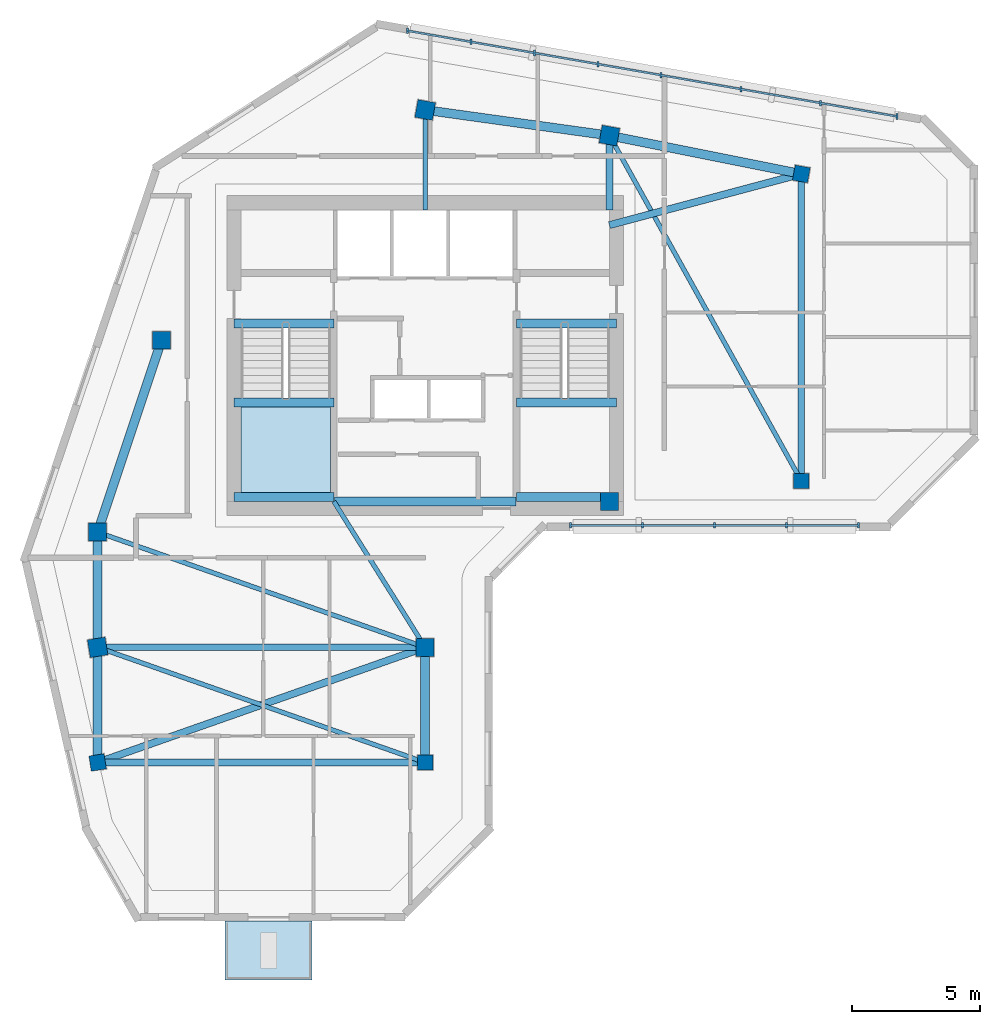
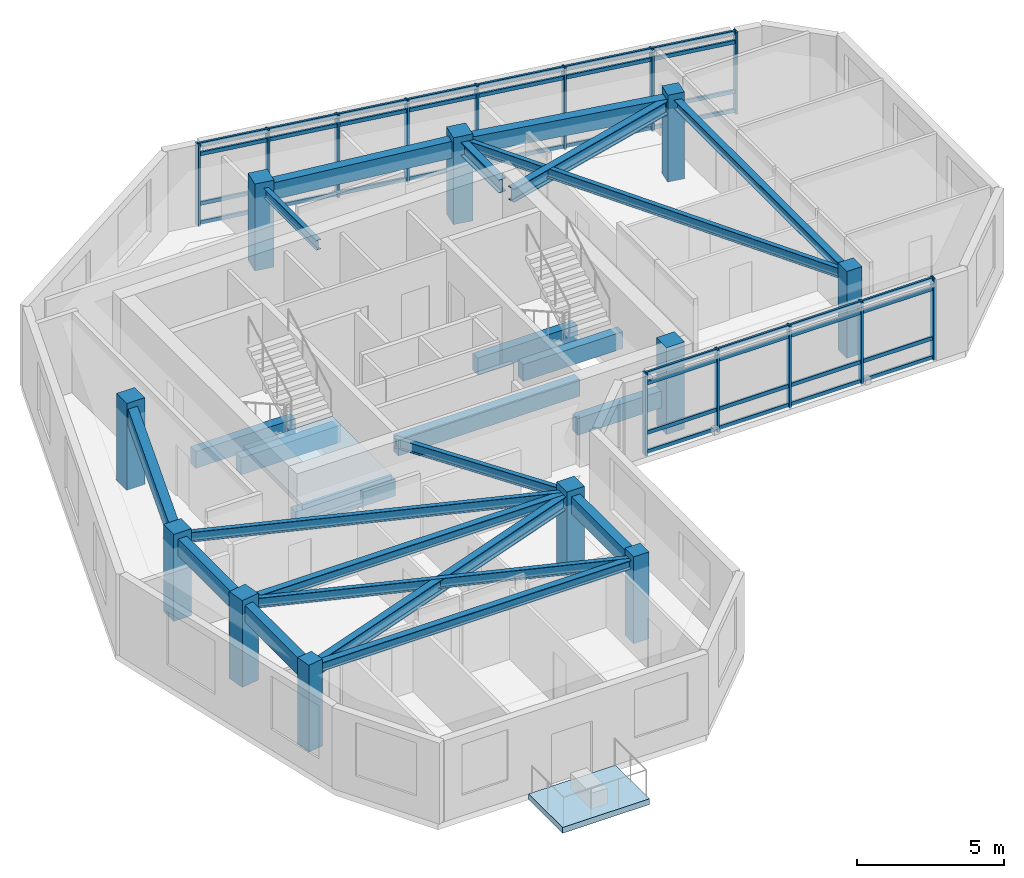
# One storey, part 1 of 8: 24 beams, 21 members, 11 columns, 2 slabs, 3 elements without a shape of their own.
"""IFC4 building model written with IfcOpenShell, lengths in metres."""

import ifcopenshell
import ifcopenshell.guid

model = None  # the IFC model being written
_history = None  # IfcOwnerHistory: only IFC2X3 demands one
_inside = {}  # id of a spatial element -> (the spatial element, [elements in it])
_under = {}  # id of a project, library or spatial element -> (it, [spatial elements below it])
_declared = {}  # id of a project -> (the project, [libraries it declares])
_typed = {}  # id of a type object -> (the type object, [elements of that type])
_made_of = {}  # id of a material, layer set ... -> (it, [elements and type objects made of it])


def new_model(schema):
    """Start an empty IFC model of exactly this schema.

    Asked for "IFC4X3", IfcOpenShell would pick the latest addendum, in which some entities
    have other attributes; the version numbers below select the first issue.
    IFC2X3 requires an IfcOwnerHistory on every rooted entity: one is made here for all.
    """
    global model, _history
    if schema == "IFC4X3":
        model = ifcopenshell.file(schema_version=(4, 3, 0, 0))
    else:
        model = ifcopenshell.file(schema=schema)
    _inside.clear()
    _under.clear()
    _declared.clear()
    _typed.clear()
    _made_of.clear()
    _history = None
    if model.schema == "IFC2X3":
        org = make("IfcOrganization", Name="unknown")
        user = make(
            "IfcPersonAndOrganization",
            ThePerson=make("IfcPerson", FamilyName="unknown"),
            TheOrganization=org,
        )
        app = make(
            "IfcApplication",
            ApplicationDeveloper=org,
            Version="unknown",
            ApplicationFullName="unknown",
            ApplicationIdentifier="unknown",
        )
        _history = make(
            "IfcOwnerHistory",
            OwningUser=user,
            OwningApplication=app,
            ChangeAction="ADDED",
            CreationDate=0,
        )
    return model


def make(cls, **values):
    """One entity of the class cls with the attributes given. An attribute that is None is left unset."""
    return model.create_entity(
        cls, **{name: value for name, value in values.items() if value is not None}
    )


def rooted(cls, **values):
    """An entity with a GlobalId (a new one), such as an element, a storey or a relation."""
    return make(cls, GlobalId=ifcopenshell.guid.new(), OwnerHistory=_history, **values)


def si_unit(unit_type, name, prefix=None):
    """IfcSIUnit, for example si_unit("LENGTHUNIT", "METRE", prefix="MILLI")."""
    return make("IfcSIUnit", UnitType=unit_type, Prefix=prefix, Name=name)


def assignment(units):
    """IfcUnitAssignment: the units of a project."""
    return None if units is None else make("IfcUnitAssignment", Units=units)


def point(xyz):
    """IfcCartesianPoint."""
    return None if xyz is None else make("IfcCartesianPoint", Coordinates=xyz)


def direction(xyz):
    """IfcDirection."""
    return None if xyz is None else make("IfcDirection", DirectionRatios=xyz)


def frame(location, z_axis=None, x_axis=None):
    """IfcAxis2Placement3D, a coordinate frame: its origin and axes. An axis left out is left unset."""
    return make(
        "IfcAxis2Placement3D",
        Location=point(location),
        Axis=direction(z_axis),
        RefDirection=direction(x_axis),
    )


def frame_2d(location, x_axis=None):
    """IfcAxis2Placement2D, a coordinate frame in the plane: its origin and x axis."""
    return make(
        "IfcAxis2Placement2D", Location=point(location), RefDirection=direction(x_axis)
    )


def origin():
    """The frame at (0, 0, 0) with its axes left unset."""
    return frame((0.0, 0.0, 0.0))


def origin_2d():
    """The frame at (0, 0) in the plane with its x axis left unset."""
    return frame_2d((0.0, 0.0))


def place(relative_to, where):
    """IfcLocalPlacement: puts the frame where relative to a parent placement (None: the world)."""
    return make(
        "IfcLocalPlacement", PlacementRelTo=relative_to, RelativePlacement=where
    )


def context(
    kind, dimensions, precision=None, world=None, true_north=None, identifier=None
):
    """IfcGeometricRepresentationContext, for example the 3D "Model" context."""
    return make(
        "IfcGeometricRepresentationContext",
        ContextIdentifier=identifier,
        ContextType=kind,
        CoordinateSpaceDimension=dimensions,
        Precision=precision,
        WorldCoordinateSystem=world,
        TrueNorth=true_north,
    )


def subcontext(parent, identifier, kind, view, scale=None):
    """IfcGeometricRepresentationSubContext, for example "Body" below "Model"."""
    return make(
        "IfcGeometricRepresentationSubContext",
        ContextIdentifier=identifier,
        ContextType=kind,
        ParentContext=parent,
        TargetScale=scale,
        TargetView=view,
    )


def project(units=None, contexts=None):
    """IfcProject with its units and contexts."""
    return rooted(
        "IfcProject",
        Name="project",
        RepresentationContexts=contexts,
        UnitsInContext=assignment(units),
    )


def spatial(cls, under=None, at=None, **own):
    """A site, building, storey or space (cls), placed at a placement, below another one or the project."""
    s = rooted(cls, ObjectPlacement=at, **own)
    if under is not None:
        _under.setdefault(under.id(), (under, []))[1].append(s)
    return s


def polyline(points):
    """IfcPolyline through the points."""
    return make("IfcPolyline", Points=[point(p) for p in points])


def profile(cls, at=None, kind="AREA", **sizes):
    """A parametric profile (cls). Its sizes go by their IFC names, for example OverallWidth=200.0."""
    return make(cls, ProfileType=kind, Position=at, **sizes)


def rectangle(**sizes):
    """IfcRectangleProfileDef."""
    return profile("IfcRectangleProfileDef", **sizes)


def i_section(**sizes):
    """IfcIShapeProfileDef."""
    return profile("IfcIShapeProfileDef", **sizes)


def outline(outer, holes=None, kind="AREA"):
    """IfcArbitraryClosedProfileDef: a profile drawn as a closed curve; with holes, ...WithVoids."""
    if holes is None:
        return make("IfcArbitraryClosedProfileDef", ProfileType=kind, OuterCurve=outer)
    return make(
        "IfcArbitraryProfileDefWithVoids",
        ProfileType=kind,
        OuterCurve=outer,
        InnerCurves=holes,
    )


def extrude(swept, where, along, depth):
    """IfcExtrudedAreaSolid: the profile swept, set in the frame where, extruded along a direction by depth."""
    return make(
        "IfcExtrudedAreaSolid",
        SweptArea=swept,
        Position=where,
        ExtrudedDirection=direction(along),
        Depth=depth,
    )


def shape(context_of_items, identifier, shape_type, items):
    """IfcShapeRepresentation: the items that make up one representation, for example the "Body"."""
    return make(
        "IfcShapeRepresentation",
        ContextOfItems=context_of_items,
        RepresentationIdentifier=identifier,
        RepresentationType=shape_type,
        Items=items,
    )


def source(mapping_origin, context_of_items, identifier, shape_type, items):
    """IfcRepresentationMap: a shape defined once, which mapped items show again and again."""
    return make(
        "IfcRepresentationMap",
        MappingOrigin=mapping_origin,
        MappedRepresentation=shape(context_of_items, identifier, shape_type, items),
    )


def transform(
    local_origin,
    x_axis=None,
    y_axis=None,
    z_axis=None,
    scale=None,
    scale2=None,
    scale3=None,
    uniform=True,
):
    """IfcCartesianTransformationOperator3D, or its non-uniform kind. x_axis, y_axis, z_axis: its Axis1, 2, 3."""
    if uniform:
        return make(
            "IfcCartesianTransformationOperator3D",
            Axis1=direction(x_axis),
            Axis2=direction(y_axis),
            LocalOrigin=point(local_origin),
            Scale=scale,
            Axis3=direction(z_axis),
        )
    return make(
        "IfcCartesianTransformationOperator3DnonUniform",
        Axis1=direction(x_axis),
        Axis2=direction(y_axis),
        LocalOrigin=point(local_origin),
        Scale=scale,
        Axis3=direction(z_axis),
        Scale2=scale2,
        Scale3=scale3,
    )


def mapped(mapping_source, mapping_target):
    """IfcMappedItem: shows the shape of a source again, moved by a transform."""
    return make(
        "IfcMappedItem", MappingSource=mapping_source, MappingTarget=mapping_target
    )


def material(Name=None, Category=None):
    """IfcMaterial."""
    return make("IfcMaterial", Name=Name, Category=Category)


def layer(
    of_material, thickness, ventilated=None, Name=None, Category=None, Priority=None
):
    """IfcMaterialLayer: one layer of a wall or slab, of a material (None: an air gap)."""
    return make(
        "IfcMaterialLayer",
        Material=of_material,
        LayerThickness=thickness,
        IsVentilated=ventilated,
        Name=Name,
        Category=Category,
        Priority=Priority,
    )


def layer_set(layers, Name=None):
    """IfcMaterialLayerSet."""
    return make("IfcMaterialLayerSet", MaterialLayers=layers, LayerSetName=Name)


def material_profile(
    of_material, cross_section, Name=None, Category=None, Priority=None
):
    """IfcMaterialProfile: a cross section and its material."""
    return make(
        "IfcMaterialProfile",
        Name=Name,
        Material=of_material,
        Profile=cross_section,
        Priority=Priority,
        Category=Category,
    )


def profile_set(profiles, Name=None, composite=None):
    """IfcMaterialProfileSet."""
    return make(
        "IfcMaterialProfileSet",
        Name=Name,
        MaterialProfiles=profiles,
        CompositeProfile=composite,
    )


def made_of(thing, what):
    """Note that an element or type object is made of a material, layer set ...; save() writes the relation."""
    if what is not None:
        _made_of.setdefault(what.id(), (what, []))[1].append(thing)
    return thing


def type_object(cls, material=None, **own):
    """A type object (cls), such as IfcWallType, which elements share."""
    return made_of(rooted(cls, **own), material)


def element(
    cls,
    number,
    at=None,
    inside=None,
    cuts=None,
    type_object=None,
    material=None,
    context=None,
    identifier="Body",
    shape_type=None,
    held_by="IfcProductDefinitionShape",
    body=None,
    shapes=None,
    **own,
):
    """One element of the class cls, such as IfcWall. Its Tag is "e" and its number.

    at: its placement. inside: the storey or other place that contains it. cuts: it is an
    opening in that element (IfcRelVoidsElement). A single representation is given by context,
    identifier, shape_type and body (its items); several are given by shapes. held_by: the class
    of the entity that holds the representations. save() writes the other relations.
    """
    e = rooted(cls, Tag="e%d" % number, ObjectPlacement=at, **own)
    if body is not None:
        shapes = [shape(context, identifier, shape_type, body)]
    if shapes is not None:
        e.Representation = make(held_by, Representations=shapes)
    if inside is not None:
        _inside.setdefault(inside.id(), (inside, []))[1].append(e)
    if cuts is not None:
        rooted(
            "IfcRelVoidsElement", RelatingBuildingElement=cuts, RelatedOpeningElement=e
        )
    if type_object is not None:
        _typed.setdefault(type_object.id(), (type_object, []))[1].append(e)
    return made_of(e, material)


def aggregate(whole, parts):
    """IfcRelAggregates: a whole, such as a stair, and the parts it consists of."""
    return rooted("IfcRelAggregates", RelatingObject=whole, RelatedObjects=parts)


def save(model, path):
    """Write the relations noted so far, then the file.

    IfcRelAggregates (storeys below a building ...), IfcRelContainedInSpatialStructure (elements
    in a storey), IfcRelDefinesByType, IfcRelAssociatesMaterial and IfcRelDeclares: one each for
    every whole, place, type object, material and project.
    """
    for whole, parts in _under.values():
        aggregate(whole, parts)
    for where, things in _inside.values():
        rooted(
            "IfcRelContainedInSpatialStructure",
            RelatedElements=things,
            RelatingStructure=where,
        )
    for kind, things in _typed.values():
        rooted("IfcRelDefinesByType", RelatedObjects=things, RelatingType=kind)
    for what, things in _made_of.values():
        rooted("IfcRelAssociatesMaterial", RelatedObjects=things, RelatingMaterial=what)
    for by, libraries in _declared.values():
        rooted("IfcRelDeclares", RelatingContext=by, RelatedDefinitions=libraries)
    model.write(path)


model = new_model("IFC4")

# Units and contexts
model_context = context("Model", 3, precision=1e-05, world=origin(), true_north=direction((0.0, 1.0)))
body_context = subcontext(model_context, "Body", "Model", "MODEL_VIEW")
ifc_project = project(units=[si_unit("LENGTHUNIT", "METRE"), si_unit("AREAUNIT", "SQUARE_METRE"), si_unit("VOLUMEUNIT", "CUBIC_METRE"), si_unit("PLANEANGLEUNIT", "RADIAN"), si_unit("MASSUNIT", "GRAM", prefix="KILO")], contexts=[model_context])

# Site, building, storey
site_placement = place(None, origin())
site = spatial("IfcSite", under=ifc_project, at=site_placement, CompositionType="ELEMENT")
building_placement = place(site_placement, origin())
building = spatial("IfcBuilding", under=site, at=building_placement, Name="Calvemar Wedge Station Tower", CompositionType="ELEMENT")
storey_placement = place(building_placement, frame((0.0, 0.0, 249.300048828125)))
storey = spatial("IfcBuildingStorey", under=building, at=storey_placement, Name="L63", CompositionType="ELEMENT", Elevation=249.300048828125)

# Columns
ifc_material_1 = material(Name="Concrete C50", Category="concrete")
ifc_material_profile_1 = material_profile(ifc_material_1, rectangle(XDim=0.699951171875, YDim=0.699951171875, at=origin_2d()), Name="RC700x700")
ifc_profile_set_1 = profile_set([ifc_material_profile_1], Name="Concrete C50")
column_type_1 = type_object("IfcColumnType", Name="COL-C7-700", PredefinedType="COLUMN", material=ifc_profile_set_1)
shared_shape_1 = source(origin(), body_context, "Body", "SweptSolid", [
    extrude(rectangle(XDim=0.699951171875, YDim=0.699951171875, at=origin_2d()), origin(), (0.0, 0.0, 1.0), 3.599853515625),
])
for number, where, z_axis, x_axis, name in (
    (1, (11.0, 33.0, 0.0), (0.0, 0.0, 1.0), (1.0, 0.0, 0.0), "Storey L63 Column T-NW1"),
    (2, (13.5, 40.5, 0.0), (0.0, 0.0, 1.0), (1.0, 0.0, 0.0), "Storey L63 Column T-NW2"),
    (3, (23.800048828125, 49.5, 0.0), (0.0, 0.0, 1.0), (0.984195607969, -0.17708474032, 0.0), "Storey L63 Column T-N1"),
    (4, (31.0, 48.5, 0.0), (0.0, 0.0, 1.0), (0.984195607969, -0.17708474032, 0.0), "Storey L63 Column T-N2"),
    (5, (31.0, 34.199951171875, 0.0), (0.0, 0.0, 1.0), (1.0, 0.0, 0.0), "Storey L63 Column T-NL1"),
    (6, (11.0, 28.5, 0.0), (0.0, 0.0, 1.0), (0.158158067254, -0.987413806751, 0.0), "Storey L63 Column T-SW1"),
    (7, (23.800048828125, 28.5, 0.0), (0.0, 0.0, 1.0), (1.0, 0.0, 0.0), "Storey L63 Column T-SE1"),
):
    element("IfcColumn", number, at=place(storey_placement, frame(where, z_axis=z_axis, x_axis=x_axis)), inside=storey, type_object=column_type_1, Name=name, PredefinedType="COLUMN", context=body_context, shape_type="MappedRepresentation", body=[
        mapped(shared_shape_1, transform((0.0, 0.0, 0.0), scale=1.0)),
    ])
ifc_material_profile_2 = material_profile(ifc_material_1, rectangle(XDim=0.60009765625, YDim=0.60009765625, at=origin_2d()), Name="RC600x600")
ifc_profile_set_2 = profile_set([ifc_material_profile_2], Name="Concrete C50")
column_type_2 = type_object("IfcColumnType", Name="COL-C8-600", PredefinedType="COLUMN", material=ifc_profile_set_2)
shared_shape_2 = source(origin(), body_context, "Body", "SweptSolid", [
    extrude(rectangle(XDim=0.60009765625, YDim=0.60009765625, at=origin_2d()), origin(), (0.0, 0.0, 1.0), 3.599853515625),
])
for number, where, z_axis, x_axis, name in (
    (8, (38.5, 47.0, 0.0), (0.0, 0.0, 1.0), (0.984195607969, -0.17708474032, 0.0), "Storey L63 Column T-NU3"),
    (9, (38.5, 35.0, 0.0), (0.0, 0.0, 1.0), (1.0, 0.0, 0.0), "Storey L63 Column T-NL2"),
    (10, (11.0, 24.0, 0.0), (0.0, 0.0, 1.0), (0.158158067254, -0.987413806751, 0.0), "Storey L63 Column T-SW2"),
    (11, (23.800048828125, 24.0, 0.0), (0.0, 0.0, 1.0), (1.0, 0.0, 0.0), "Storey L63 Column T-SE2"),
):
    element("IfcColumn", number, at=place(storey_placement, frame(where, z_axis=z_axis, x_axis=x_axis)), inside=storey, type_object=column_type_2, Name=name, PredefinedType="COLUMN", context=body_context, shape_type="MappedRepresentation", body=[
        mapped(shared_shape_2, transform((0.0, 0.0, 0.0), scale=1.0)),
    ])

# Beams
ifc_material_2 = material(Name="Structural steel ASTM A572 Grade 50", Category="steel")
ifc_material_profile_3 = material_profile(ifc_material_2, i_section(OverallWidth=0.177978515625, OverallDepth=0.406982421875, WebThickness=0.0078125, FlangeThickness=0.0126953125, FilletRadius=0.010009765625, at=origin_2d()), Name="W410x60")
ifc_profile_set_3 = profile_set([ifc_material_profile_3], Name="Structural steel ASTM A572 Grade 50")
beam_type_1 = type_object("IfcBeamType", Name="BM-J3-W410", PredefinedType="JOIST", material=ifc_profile_set_3)
shared_shape_3 = source(origin(), body_context, "Body", "SweptSolid", [
    extrude(i_section(OverallWidth=0.177978515625, OverallDepth=0.406982421875, WebThickness=0.0078125, FlangeThickness=0.0126953125, FilletRadius=0.010009765625, at=origin_2d()), origin(), (0.0, 0.0, 1.0), 15.443359375),
])
beam_1_placement = place(storey_placement, frame((31.0, 48.5, 3.146484375), z_axis=(0.485642931179, -0.874157276122, 0.0), x_axis=(0.874157276122, 0.485642931179, 0.0)))
element("IfcBeam", 12, at=beam_1_placement, inside=storey, type_object=beam_type_1, Name="Storey L63 Floor Beam T-N2-T-NL2", PredefinedType="JOIST", context=body_context, shape_type="MappedRepresentation", body=[
    mapped(shared_shape_3, transform((0.0, 0.0, 0.0), scale=1.0)),
])
shared_shape_4 = source(origin(), body_context, "Body", "SweptSolid", [
    extrude(i_section(OverallWidth=0.177978515625, OverallDepth=0.406982421875, WebThickness=0.0078125, FlangeThickness=0.0126953125, FilletRadius=0.010009765625, at=origin_2d()), origin(), (0.0, 0.0, 1.0), 13.568115234375),
])
for number, where, z_axis, x_axis, name in (
    (13, (11.0, 33.0, 3.146484375), (0.943398221169, -0.331662171939, 0.0), (0.331662171939, 0.943398221169, 0.0), "Storey L63 Floor Beam T-NW1-T-SE1"),
    (14, (11.0, 28.5, 3.146484375), (0.943398221169, -0.331662171939, 0.0), (0.331662171939, 0.943398221169, 0.0), "Storey L63 Floor Beam T-SW1-T-SE2"),
):
    element("IfcBeam", number, at=place(storey_placement, frame(where, z_axis=z_axis, x_axis=x_axis)), inside=storey, type_object=beam_type_1, Name=name, PredefinedType="JOIST", context=body_context, shape_type="MappedRepresentation", body=[
        mapped(shared_shape_4, transform((0.0, 0.0, 0.0), scale=1.0)),
    ])
ifc_material_profile_4 = material_profile(ifc_material_2, i_section(OverallWidth=0.279052734375, OverallDepth=0.553955078125, WebThickness=0.017578125, FlangeThickness=0.029541015625, FilletRadius=0.014892578125, at=origin_2d()), Name="W530x196")
ifc_profile_set_4 = profile_set([ifc_material_profile_4], Name="Structural steel ASTM A572 Grade 50")
beam_type_2 = type_object("IfcBeamType", Name="BM-SB3-W530H", PredefinedType="BEAM", material=ifc_profile_set_4)
shared_shape_5 = source(origin(), body_context, "Body", "SweptSolid", [
    extrude(i_section(OverallWidth=0.279052734375, OverallDepth=0.553955078125, WebThickness=0.017578125, FlangeThickness=0.029541015625, FilletRadius=0.014892578125, at=origin_2d()), origin(), (0.0, 0.0, 1.0), 13.568115234375),
])
beam_2_placement = place(storey_placement, frame((23.800048828125, 28.5, 3.072998046875), z_axis=(-0.943398221169, -0.331662171939, 0.0), x_axis=(0.331662171939, -0.943398221169, 0.0)))
element("IfcBeam", 15, at=beam_2_placement, inside=storey, type_object=beam_type_2, Name="Storey L63 Floor Beam T-SE1-T-SW2", PredefinedType="BEAM", context=body_context, shape_type="MappedRepresentation", body=[
    mapped(shared_shape_5, transform((0.0, 0.0, 0.0), scale=1.0)),
])
shared_shape_6 = source(origin(), body_context, "Body", "SweptSolid", [
    extrude(i_section(OverallWidth=0.279052734375, OverallDepth=0.553955078125, WebThickness=0.017578125, FlangeThickness=0.029541015625, FilletRadius=0.014892578125, at=origin_2d()), origin(), (0.0, 0.0, 1.0), 7.76220703125),
])
beam_3_placement = place(storey_placement, frame((31.0, 45.0, 3.072998046875), z_axis=(0.966234939601, 0.25766265056, 0.0), x_axis=(-0.25766265056, 0.966234939601, 0.0)))
element("IfcBeam", 16, at=beam_3_placement, inside=storey, type_object=beam_type_2, Name="Storey L63 Core-to-Column Joist CJ-E2", PredefinedType="BEAM", context=body_context, shape_type="MappedRepresentation", body=[
    mapped(shared_shape_6, transform((0.0, 0.0, 0.0), scale=1.0)),
])
shared_shape_7 = source(origin(), body_context, "Body", "SweptSolid", [
    extrude(i_section(OverallWidth=0.177978515625, OverallDepth=0.406982421875, WebThickness=0.0078125, FlangeThickness=0.0126953125, FilletRadius=0.010009765625, at=origin_2d()), origin(), (0.0, 0.0, 1.0), 3.89990234375),
])
beam_4_placement = place(storey_placement, frame((23.800048828125, 45.60009765625, 3.146484375), z_axis=(0.0, 1.0, 0.0), x_axis=(-1.0, 0.0, 0.0)))
element("IfcBeam", 17, at=beam_4_placement, inside=storey, type_object=beam_type_1, Name="Storey L63 Core-to-Column Joist CJ-N1", PredefinedType="JOIST", context=body_context, shape_type="MappedRepresentation", body=[
    mapped(shared_shape_7, transform((0.0, 0.0, 0.0), scale=1.0)),
])
shared_shape_8 = source(origin(), body_context, "Body", "SweptSolid", [
    extrude(i_section(OverallWidth=0.279052734375, OverallDepth=0.553955078125, WebThickness=0.017578125, FlangeThickness=0.029541015625, FilletRadius=0.014892578125, at=origin_2d()), origin(), (0.0, 0.0, 1.0), 2.89990234375),
])
beam_5_placement = place(storey_placement, frame((31.0, 45.60009765625, 3.072998046875), z_axis=(0.0, 1.0, 0.0), x_axis=(-1.0, 0.0, 0.0)))
element("IfcBeam", 18, at=beam_5_placement, inside=storey, type_object=beam_type_2, Name="Storey L63 Core-to-Column Joist CJ-N2", PredefinedType="BEAM", context=body_context, shape_type="MappedRepresentation", body=[
    mapped(shared_shape_8, transform((0.0, 0.0, 0.0), scale=1.0)),
])
shared_shape_9 = source(origin(), body_context, "Body", "SweptSolid", [
    extrude(i_section(OverallWidth=0.177978515625, OverallDepth=0.406982421875, WebThickness=0.0078125, FlangeThickness=0.0126953125, FilletRadius=0.010009765625, at=origin_2d()), origin(), (0.0, 0.0, 1.0), 6.7255859375),
])
beam_6_placement = place(storey_placement, frame((20.22998046875, 34.199951171875, 3.146484375), z_axis=(0.530811158438, -0.847490126242, 0.0), x_axis=(0.847490126242, 0.530811158438, 0.0)))
element("IfcBeam", 19, at=beam_6_placement, inside=storey, type_object=beam_type_1, Name="Storey L63 Core-to-Column Joist CJ-S2", PredefinedType="JOIST", context=body_context, shape_type="MappedRepresentation", body=[
    mapped(shared_shape_9, transform((0.0, 0.0, 0.0), scale=1.0)),
])
ifc_material_3 = material(Name="Concrete C70", Category="concrete")
ifc_material_profile_5 = material_profile(ifc_material_3, rectangle(XDim=0.35009765625, YDim=0.699951171875, at=origin_2d()), Name="RC350x700")
ifc_profile_set_5 = profile_set([ifc_material_profile_5], Name="Concrete C70")
beam_type_3 = type_object("IfcBeamType", Name="BM-LN1-700", PredefinedType="LINTEL", material=ifc_profile_set_5)
shared_shape_10 = source(origin(), body_context, "Body", "SweptSolid", [
    extrude(rectangle(XDim=0.35009765625, YDim=0.699951171875, at=origin_2d()), origin(), (0.0, 0.0, 1.0), 7.10009765625),
])
beam_7_placement = place(storey_placement, frame((20.25, 34.199951171875, 3.0), z_axis=(1.0, 0.0, 0.0), x_axis=(0.0, 1.0, 0.0)))
element("IfcBeam", 20, at=beam_7_placement, inside=storey, type_object=beam_type_3, Name="Storey L63 Core Coupling Lintel South", PredefinedType="LINTEL", context=body_context, shape_type="MappedRepresentation", body=[
    mapped(shared_shape_10, transform((0.0, 0.0, 0.0), scale=1.0)),
])
ifc_material_profile_6 = material_profile(ifc_material_1, rectangle(XDim=0.35009765625, YDim=0.699951171875, at=origin_2d()), Name="RC350x700")
ifc_profile_set_6 = profile_set([ifc_material_profile_6], Name="Concrete C50")
beam_type_4 = type_object("IfcBeamType", Name="BM-SP2-700", PredefinedType="SPANDREL", material=ifc_profile_set_6)
shared_shape_11 = source(origin(), body_context, "Body", "SweptSolid", [
    extrude(rectangle(XDim=0.35009765625, YDim=0.699951171875, at=origin_2d()), origin(), (0.0, 0.0, 1.0), 7.90576171875),
])
beam_8_placement = place(storey_placement, frame((11.0, 33.0, 3.0), z_axis=(0.316227766017, 0.948683298051, 0.0), x_axis=(-0.948683298051, 0.316227766017, 0.0)))
element("IfcBeam", 21, at=beam_8_placement, inside=storey, type_object=beam_type_4, Name="Storey L63 Spandrel T-NW1-T-NW2", PredefinedType="SPANDREL", context=body_context, shape_type="MappedRepresentation", body=[
    mapped(shared_shape_11, transform((0.0, 0.0, 0.0), scale=1.0)),
])
shared_shape_12 = source(origin(), body_context, "Body", "SweptSolid", [
    extrude(rectangle(XDim=0.35009765625, YDim=0.699951171875, at=origin_2d()), origin(), (0.0, 0.0, 1.0), 7.26904296875),
])
beam_9_placement = place(storey_placement, frame((23.800048828125, 49.5, 3.0), z_axis=(0.990492146053, -0.13756928657, 0.0), x_axis=(0.13756928657, 0.990492146053, 0.0)))
element("IfcBeam", 22, at=beam_9_placement, inside=storey, type_object=beam_type_4, Name="Storey L63 Spandrel T-N1-T-N2", PredefinedType="SPANDREL", context=body_context, shape_type="MappedRepresentation", body=[
    mapped(shared_shape_12, transform((0.0, 0.0, 0.0), scale=1.0)),
])
shared_shape_13 = source(origin(), body_context, "Body", "SweptSolid", [
    extrude(rectangle(XDim=0.35009765625, YDim=0.699951171875, at=origin_2d()), origin(), (0.0, 0.0, 1.0), 7.6484375),
])
beam_10_placement = place(storey_placement, frame((31.0, 48.5, 3.0), z_axis=(0.980580675691, -0.196116135138, 0.0), x_axis=(0.196116135138, 0.980580675691, 0.0)))
element("IfcBeam", 23, at=beam_10_placement, inside=storey, type_object=beam_type_4, Name="Storey L63 Spandrel T-N2-T-NU3", PredefinedType="SPANDREL", context=body_context, shape_type="MappedRepresentation", body=[
    mapped(shared_shape_13, transform((0.0, 0.0, 0.0), scale=1.0)),
])
shared_shape_14 = source(origin(), body_context, "Body", "SweptSolid", [
    extrude(rectangle(XDim=0.35009765625, YDim=0.699951171875, at=origin_2d()), origin(), (0.0, 0.0, 1.0), 4.5),
])
for number, where, z_axis, x_axis, name in (
    (24, (11.0, 33.0, 3.0), (0.0, -1.0, 0.0), (1.0, 0.0, 0.0), "Storey L63 Spandrel T-NW1-T-SW1"),
    (25, (11.0, 28.5, 3.0), (0.0, -1.0, 0.0), (1.0, 0.0, 0.0), "Storey L63 Spandrel T-SW1-T-SW2"),
    (26, (23.800048828125, 28.5, 3.0), (0.0, -1.0, 0.0), (1.0, 0.0, 0.0), "Storey L63 Spandrel T-SE1-T-SE2"),
):
    element("IfcBeam", number, at=place(storey_placement, frame(where, z_axis=z_axis, x_axis=x_axis)), inside=storey, type_object=beam_type_4, Name=name, PredefinedType="SPANDREL", context=body_context, shape_type="MappedRepresentation", body=[
        mapped(shared_shape_14, transform((0.0, 0.0, 0.0), scale=1.0)),
    ])
shared_shape_15 = source(origin(), body_context, "Body", "SweptSolid", [
    extrude(rectangle(XDim=0.35009765625, YDim=0.699951171875, at=origin_2d()), origin(), (0.0, 0.0, 1.0), 3.905029296875),
])
for number, where, z_axis, x_axis, name in (
    (27, (16.324951171875, 41.14990234375, -0.35009765625), (1.0, 0.0, 0.0), (0.0, 1.0, 0.0), "Storey L63 Stair ST-C1 Landing Trimmer Beam"),
    (28, (16.324951171875, 34.3798828125, 1.25), (1.0, 0.0, 0.0), (0.0, 1.0, 0.0), "Storey L63 Stair ST-C1 Half-Landing Beam 1A"),
    (29, (16.324951171875, 38.070068359375, 1.25), (1.0, 0.0, 0.0), (0.0, 1.0, 0.0), "Storey L63 Stair ST-C1 Half-Landing Beam 1B"),
):
    element("IfcBeam", number, at=place(storey_placement, frame(where, z_axis=z_axis, x_axis=x_axis)), inside=storey, type_object=beam_type_3, Name=name, PredefinedType="LINTEL", context=body_context, shape_type="MappedRepresentation", body=[
        mapped(shared_shape_15, transform((0.0, 0.0, 0.0), scale=1.0)),
    ])
shared_shape_16 = source(origin(), body_context, "Body", "SweptSolid", [
    extrude(rectangle(XDim=0.35009765625, YDim=0.699951171875, at=origin_2d()), origin(), (0.0, 0.0, 1.0), 3.90478515625),
])
for number, where, z_axis, x_axis, name in (
    (30, (27.3701171875, 41.14990234375, -0.35009765625), (1.0, 0.0, 0.0), (0.0, 1.0, 0.0), "Storey L63 Stair ST-C2 Landing Trimmer Beam"),
    (31, (27.3701171875, 34.3798828125, 1.25), (1.0, 0.0, 0.0), (0.0, 1.0, 0.0), "Storey L63 Stair ST-C2 Half-Landing Beam 1A"),
    (32, (27.3701171875, 38.070068359375, 1.25), (1.0, 0.0, 0.0), (0.0, 1.0, 0.0), "Storey L63 Stair ST-C2 Half-Landing Beam 1B"),
):
    element("IfcBeam", number, at=place(storey_placement, frame(where, z_axis=z_axis, x_axis=x_axis)), inside=storey, type_object=beam_type_3, Name=name, PredefinedType="LINTEL", context=body_context, shape_type="MappedRepresentation", body=[
        mapped(shared_shape_16, transform((0.0, 0.0, 0.0), scale=1.0)),
    ])
ifc_material_profile_7 = material_profile(ifc_material_2, i_section(OverallWidth=0.257080078125, OverallDepth=0.363037109375, WebThickness=0.012939453125, FlangeThickness=0.021728515625, FilletRadius=0.014892578125, at=origin_2d()), Name="W360x122")
ifc_profile_set_7 = profile_set([ifc_material_profile_7], Name="Structural steel ASTM A572 Grade 50")
beam_type_5 = type_object("IfcBeamType", Name="BM-J4-W360", PredefinedType="JOIST", material=ifc_profile_set_7)
shared_shape_17 = source(origin(), body_context, "Body", "SweptSolid", [
    extrude(i_section(OverallWidth=0.257080078125, OverallDepth=0.363037109375, WebThickness=0.012939453125, FlangeThickness=0.021728515625, FilletRadius=0.014892578125, at=origin_2d()), origin(), (0.0, 0.0, 1.0), 12.0),
])
beam_11_placement = place(storey_placement, frame((38.5, 47.0, 3.16845703125), z_axis=(0.0, -1.0, 0.0), x_axis=(1.0, 0.0, 0.0)))
element("IfcBeam", 33, at=beam_11_placement, inside=storey, type_object=beam_type_5, Name="Storey L63 Floor Beam T-NU3-T-NL2", PredefinedType="JOIST", context=body_context, shape_type="MappedRepresentation", body=[
    mapped(shared_shape_17, transform((0.0, 0.0, 0.0), scale=1.0)),
])
shared_shape_18 = source(origin(), body_context, "Body", "SweptSolid", [
    extrude(i_section(OverallWidth=0.257080078125, OverallDepth=0.363037109375, WebThickness=0.012939453125, FlangeThickness=0.021728515625, FilletRadius=0.014892578125, at=origin_2d()), origin(), (0.0, 0.0, 1.0), 12.800048828125),
])
for number, where, z_axis, x_axis, name in (
    (34, (11.0, 28.5, 3.16845703125), (1.0, 0.0, 0.0), (0.0, 1.0, 0.0), "Storey L63 Floor Beam T-SW1-T-SE1"),
    (35, (11.0, 24.0, 3.16845703125), (1.0, 0.0, 0.0), (0.0, 1.0, 0.0), "Storey L63 Floor Beam T-SW2-T-SE2"),
):
    element("IfcBeam", number, at=place(storey_placement, frame(where, z_axis=z_axis, x_axis=x_axis)), inside=storey, type_object=beam_type_5, Name=name, PredefinedType="JOIST", context=body_context, shape_type="MappedRepresentation", body=[
        mapped(shared_shape_18, transform((0.0, 0.0, 0.0), scale=1.0)),
    ])

# Curtain wall, members
ifc_material_4 = material(Name="Anodised aluminium 6063-T6", Category="aluminium")
curtain_wall_type = type_object("IfcCurtainWallType", Name="CW6", PredefinedType="NOTDEFINED", material=ifc_material_4)
curtain_wall_1_placement = place(storey_placement, origin())
curtain_wall_1 = element("IfcCurtainWall", 36, at=curtain_wall_1_placement, inside=storey, type_object=curtain_wall_type, Name="Storey L63 CW6 Recessed Unitised Curtain Wall 6", PredefinedType="NOTDEFINED")
ifc_material_profile_8 = material_profile(ifc_material_4, rectangle(XDim=0.080078125, YDim=0.219970703125, at=origin_2d()), Name="AL-MUL-80x220")
ifc_profile_set_8 = profile_set([ifc_material_profile_8], Name="Anodised aluminium 6063-T6")
member_type_1 = type_object("IfcMemberType", Name="CW6-MUL", PredefinedType="MULLION", material=ifc_profile_set_8)
shared_shape_19 = source(origin(), body_context, "Body", "SweptSolid", [
    extrude(rectangle(XDim=0.080078125, YDim=0.219970703125, at=origin_2d()), origin(), (0.0, 0.0, 1.0), 3.39990234375),
])
member_1_placement = place(storey_placement, frame((29.469970703125, 33.26611328125, -0.050048828125), z_axis=(0.0, 0.0, 1.0), x_axis=(1.0, 0.0, 0.0)))
member_1 = element("IfcMember", 37, at=member_1_placement, type_object=member_type_1, Name="CW6 mullion 1", PredefinedType="MULLION", context=body_context, shape_type="MappedRepresentation", body=[
    mapped(shared_shape_19, transform((0.0, 0.0, 0.0), scale=1.0)),
])
member_2_placement = place(storey_placement, frame((32.286865234375, 33.26611328125, -0.050048828125), z_axis=(0.0, 0.0, 1.0), x_axis=(1.0, 0.0, 0.0)))
member_2 = element("IfcMember", 38, at=member_2_placement, type_object=member_type_1, Name="CW6 mullion 2", PredefinedType="MULLION", context=body_context, shape_type="MappedRepresentation", body=[
    mapped(shared_shape_19, transform((0.0, 0.0, 0.0), scale=1.0)),
])
member_3_placement = place(storey_placement, frame((35.10400390625, 33.26611328125, -0.050048828125), z_axis=(0.0, 0.0, 1.0), x_axis=(1.0, 0.0, 0.0)))
member_3 = element("IfcMember", 39, at=member_3_placement, type_object=member_type_1, Name="CW6 mullion 3", PredefinedType="MULLION", context=body_context, shape_type="MappedRepresentation", body=[
    mapped(shared_shape_19, transform((0.0, 0.0, 0.0), scale=1.0)),
])
member_4_placement = place(storey_placement, frame((37.9208984375, 33.26611328125, -0.050048828125), z_axis=(0.0, 0.0, 1.0), x_axis=(1.0, 0.0, 0.0)))
member_4 = element("IfcMember", 40, at=member_4_placement, type_object=member_type_1, Name="CW6 mullion 4", PredefinedType="MULLION", context=body_context, shape_type="MappedRepresentation", body=[
    mapped(shared_shape_19, transform((0.0, 0.0, 0.0), scale=1.0)),
])
member_5_placement = place(storey_placement, frame((40.73779296875, 33.26611328125, -0.050048828125), z_axis=(0.0, 0.0, 1.0), x_axis=(1.0, 0.0, 0.0)))
member_5 = element("IfcMember", 41, at=member_5_placement, type_object=member_type_1, Name="CW6 mullion 5", PredefinedType="MULLION", context=body_context, shape_type="MappedRepresentation", body=[
    mapped(shared_shape_19, transform((0.0, 0.0, 0.0), scale=1.0)),
])

curtain_wall_2_placement = place(storey_placement, origin())
curtain_wall_2 = element("IfcCurtainWall", 42, at=curtain_wall_2_placement, inside=storey, type_object=curtain_wall_type, Name="Storey L63 CW6 Recessed Unitised Curtain Wall 10", PredefinedType="NOTDEFINED")
member_6_placement = place(storey_placement, frame((42.233642578125, 49.246826171875, -0.050048828125), z_axis=(0.0, 0.0, 1.0), x_axis=(1.0, 0.0, 0.0)))
member_6 = element("IfcMember", 43, at=member_6_placement, type_object=member_type_1, Name="CW6 mullion 1", PredefinedType="MULLION", context=body_context, shape_type="MappedRepresentation", body=[
    mapped(shared_shape_19, transform((0.0, 0.0, 0.0), scale=1.0)),
])
member_7_placement = place(storey_placement, frame((39.253662109375, 49.768310546875, -0.050048828125), z_axis=(0.0, 0.0, 1.0), x_axis=(1.0, 0.0, 0.0)))
member_7 = element("IfcMember", 44, at=member_7_placement, type_object=member_type_1, Name="CW6 mullion 2", PredefinedType="MULLION", context=body_context, shape_type="MappedRepresentation", body=[
    mapped(shared_shape_19, transform((0.0, 0.0, 0.0), scale=1.0)),
])
member_8_placement = place(storey_placement, frame((36.1376953125, 50.3134765625, -0.050048828125), z_axis=(0.0, 0.0, 1.0), x_axis=(1.0, 0.0, 0.0)))
member_8 = element("IfcMember", 45, at=member_8_placement, type_object=member_type_1, Name="CW6 mullion 3", PredefinedType="MULLION", context=body_context, shape_type="MappedRepresentation", body=[
    mapped(shared_shape_19, transform((0.0, 0.0, 0.0), scale=1.0)),
])
member_9_placement = place(storey_placement, frame((33.021484375, 50.8583984375, -0.050048828125), z_axis=(0.0, 0.0, 1.0), x_axis=(1.0, 0.0, 0.0)))
member_9 = element("IfcMember", 46, at=member_9_placement, type_object=member_type_1, Name="CW6 mullion 4", PredefinedType="MULLION", context=body_context, shape_type="MappedRepresentation", body=[
    mapped(shared_shape_19, transform((0.0, 0.0, 0.0), scale=1.0)),
])
member_10_placement = place(storey_placement, frame((30.546630859375, 51.29150390625, -0.050048828125), z_axis=(0.0, 0.0, 1.0), x_axis=(1.0, 0.0, 0.0)))
member_10 = element("IfcMember", 47, at=member_10_placement, type_object=member_type_1, Name="CW6 mullion 5", PredefinedType="MULLION", context=body_context, shape_type="MappedRepresentation", body=[
    mapped(shared_shape_19, transform((0.0, 0.0, 0.0), scale=1.0)),
])
member_11_placement = place(storey_placement, frame((28.071533203125, 51.724609375, -0.050048828125), z_axis=(0.0, 0.0, 1.0), x_axis=(1.0, 0.0, 0.0)))
member_11 = element("IfcMember", 48, at=member_11_placement, type_object=member_type_1, Name="CW6 mullion 6", PredefinedType="MULLION", context=body_context, shape_type="MappedRepresentation", body=[
    mapped(shared_shape_19, transform((0.0, 0.0, 0.0), scale=1.0)),
])
member_12_placement = place(storey_placement, frame((25.588134765625, 52.158935546875, -0.050048828125), z_axis=(0.0, 0.0, 1.0), x_axis=(1.0, 0.0, 0.0)))
member_12 = element("IfcMember", 49, at=member_12_placement, type_object=member_type_1, Name="CW6 mullion 7", PredefinedType="MULLION", context=body_context, shape_type="MappedRepresentation", body=[
    mapped(shared_shape_19, transform((0.0, 0.0, 0.0), scale=1.0)),
])
member_13_placement = place(storey_placement, frame((23.104736328125, 52.593505859375, -0.050048828125), z_axis=(0.0, 0.0, 1.0), x_axis=(1.0, 0.0, 0.0)))
member_13 = element("IfcMember", 50, at=member_13_placement, type_object=member_type_1, Name="CW6 mullion 8", PredefinedType="MULLION", context=body_context, shape_type="MappedRepresentation", body=[
    mapped(shared_shape_19, transform((0.0, 0.0, 0.0), scale=1.0)),
])

# Member
ifc_material_profile_9 = material_profile(ifc_material_4, rectangle(XDim=0.080078125, YDim=0.155029296875, at=origin_2d()), Name="AL-TRN-80x155")
ifc_profile_set_9 = profile_set([ifc_material_profile_9], Name="Anodised aluminium 6063-T6")
member_type_2 = type_object("IfcMemberType", Name="CW6-TRN", PredefinedType="USERDEFINED", material=ifc_profile_set_9)
shared_shape_20 = source(origin(), body_context, "Body", "SweptSolid", [
    extrude(rectangle(XDim=0.080078125, YDim=0.155029296875, at=origin_2d()), origin(), (0.0, 0.0, 1.0), 11.267822265625),
])
member_14_placement = place(storey_placement, frame((29.469970703125, 33.26611328125, 0.06005859375), z_axis=(1.0, 0.0, 0.0), x_axis=(0.0, 1.0, 0.0)))
member_14 = element("IfcMember", 51, at=member_14_placement, type_object=member_type_2, Name="CW6 transom 1", ObjectType="TRANSOM", PredefinedType="USERDEFINED", context=body_context, shape_type="MappedRepresentation", body=[
    mapped(shared_shape_20, transform((0.0, 0.0, 0.0), scale=1.0)),
])

member_15_placement = place(storey_placement, frame((29.469970703125, 33.26611328125, 0.849853515625), z_axis=(1.0, 0.0, 0.0), x_axis=(0.0, 1.0, 0.0)))
member_15 = element("IfcMember", 52, at=member_15_placement, type_object=member_type_2, Name="CW6 transom 2", ObjectType="TRANSOM", PredefinedType="USERDEFINED", context=body_context, shape_type="MappedRepresentation", body=[
    mapped(shared_shape_20, transform((0.0, 0.0, 0.0), scale=1.0)),
])

member_16_placement = place(storey_placement, frame((29.469970703125, 33.26611328125, 2.89990234375), z_axis=(1.0, 0.0, 0.0), x_axis=(0.0, 1.0, 0.0)))
member_16 = element("IfcMember", 53, at=member_16_placement, type_object=member_type_2, Name="CW6 transom 3", ObjectType="TRANSOM", PredefinedType="USERDEFINED", context=body_context, shape_type="MappedRepresentation", body=[
    mapped(shared_shape_20, transform((0.0, 0.0, 0.0), scale=1.0)),
])

member_17_placement = place(storey_placement, frame((29.469970703125, 33.26611328125, 3.2900390625), z_axis=(1.0, 0.0, 0.0), x_axis=(0.0, 1.0, 0.0)))
member_17 = element("IfcMember", 54, at=member_17_placement, type_object=member_type_2, Name="CW6 transom 4", ObjectType="TRANSOM", PredefinedType="USERDEFINED", context=body_context, shape_type="MappedRepresentation", body=[
    mapped(shared_shape_20, transform((0.0, 0.0, 0.0), scale=1.0)),
])

aggregate(curtain_wall_1, [member_1, member_2, member_3, member_4, member_5, member_14, member_15, member_16, member_17])

shared_shape_21 = source(origin(), body_context, "Body", "SweptSolid", [
    extrude(rectangle(XDim=0.080078125, YDim=0.155029296875, at=origin_2d()), origin(), (0.0, 0.0, 1.0), 19.41943359375),
])
member_18_placement = place(storey_placement, frame((42.233642578125, 49.246826171875, 0.06005859375), z_axis=(-0.985038151159, 0.172336417399, 0.0), x_axis=(-0.172336417399, -0.985038151159, 0.0)))
member_18 = element("IfcMember", 55, at=member_18_placement, type_object=member_type_2, Name="CW6 transom 1", ObjectType="TRANSOM", PredefinedType="USERDEFINED", context=body_context, shape_type="MappedRepresentation", body=[
    mapped(shared_shape_21, transform((0.0, 0.0, 0.0), scale=1.0)),
])

member_19_placement = place(storey_placement, frame((42.233642578125, 49.246826171875, 0.849853515625), z_axis=(-0.985038151159, 0.172336417399, 0.0), x_axis=(-0.172336417399, -0.985038151159, 0.0)))
member_19 = element("IfcMember", 56, at=member_19_placement, type_object=member_type_2, Name="CW6 transom 2", ObjectType="TRANSOM", PredefinedType="USERDEFINED", context=body_context, shape_type="MappedRepresentation", body=[
    mapped(shared_shape_21, transform((0.0, 0.0, 0.0), scale=1.0)),
])

member_20_placement = place(storey_placement, frame((42.233642578125, 49.246826171875, 2.89990234375), z_axis=(-0.985038151159, 0.172336417399, 0.0), x_axis=(-0.172336417399, -0.985038151159, 0.0)))
member_20 = element("IfcMember", 57, at=member_20_placement, type_object=member_type_2, Name="CW6 transom 3", ObjectType="TRANSOM", PredefinedType="USERDEFINED", context=body_context, shape_type="MappedRepresentation", body=[
    mapped(shared_shape_21, transform((0.0, 0.0, 0.0), scale=1.0)),
])

member_21_placement = place(storey_placement, frame((42.233642578125, 49.246826171875, 3.2900390625), z_axis=(-0.985038151159, 0.172336417399, 0.0), x_axis=(-0.172336417399, -0.985038151159, 0.0)))
member_21 = element("IfcMember", 58, at=member_21_placement, type_object=member_type_2, Name="CW6 transom 4", ObjectType="TRANSOM", PredefinedType="USERDEFINED", context=body_context, shape_type="MappedRepresentation", body=[
    mapped(shared_shape_21, transform((0.0, 0.0, 0.0), scale=1.0)),
])

aggregate(curtain_wall_2, [member_6, member_7, member_8, member_9, member_10, member_11, member_12, member_13, member_18, member_19, member_20, member_21])

# Stair, slab
ifc_material_5 = material(Name="Concrete C45", Category="concrete")
stair_type = type_object("IfcStairType", Name="ST-TYPE-3600", PredefinedType="HALF_TURN_STAIR", material=ifc_material_5)
stair_placement = place(storey_placement, origin())
stair = element("IfcStair", 59, at=stair_placement, inside=storey, type_object=stair_type, Name="L63 Pressurized Core Exit Stair ST-C1", PredefinedType="HALF_TURN_STAIR")
ifc_layer_1 = layer(ifc_material_5, 0.199951171875)
ifc_layer_set_1 = layer_set([ifc_layer_1], Name="Concrete C45")
slab_type_1 = type_object("IfcSlabType", Name="SL-STAIR-LND-200", PredefinedType="LANDING", material=ifc_layer_set_1)
slab_1_placement = place(storey_placement, frame((0.0, 0.0, 1.599853515625)))
slab_1 = element("IfcSlab", 60, at=slab_1_placement, type_object=slab_type_1, Name="ST-C1 landing 1", PredefinedType="LANDING", context=body_context, shape_type="SweptSolid", body=[
    extrude(outline(polyline([(16.60009765625, 38.25), (16.60009765625, 34.199951171875), (20.10009765625, 34.199951171875), (20.10009765625, 38.25), (16.60009765625, 38.25)])), origin(), (0.0, 0.0, 1.0), 0.2001953125),
])
aggregate(stair, [slab_1])

# Slab
ifc_layer_2 = layer(ifc_material_5, 0.239990234375)
ifc_layer_set_2 = layer_set([ifc_layer_2], Name="Concrete C45")
slab_type_2 = type_object("IfcSlabType", Name="SL-TERR-240", PredefinedType="FLOOR", material=ifc_layer_set_2)
slab_2_placement = place(storey_placement, frame((0.0, 0.0, -0.239990234375)))
element("IfcSlab", 61, at=slab_2_placement, inside=storey, type_object=slab_type_2, Name="Storey L63 Planted Spiral Terrace Slab", PredefinedType="FLOOR", context=body_context, shape_type="SweptSolid", body=[
    extrude(outline(polyline([(15.98193359375, 17.800048828125), (15.98193359375, 15.5), (19.382080078125, 15.5), (19.382080078125, 17.800048828125), (15.98193359375, 17.800048828125)])), origin(), (0.0, 0.0, 1.0), 0.239990234375),
])

save(model, "model.ifc")
